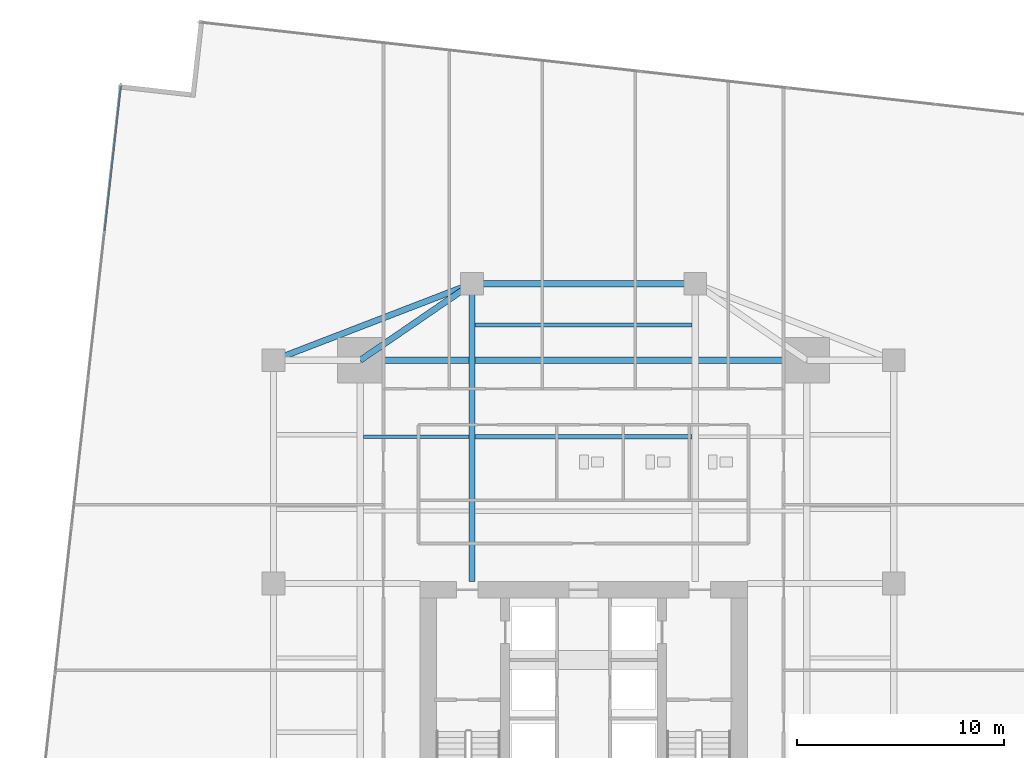
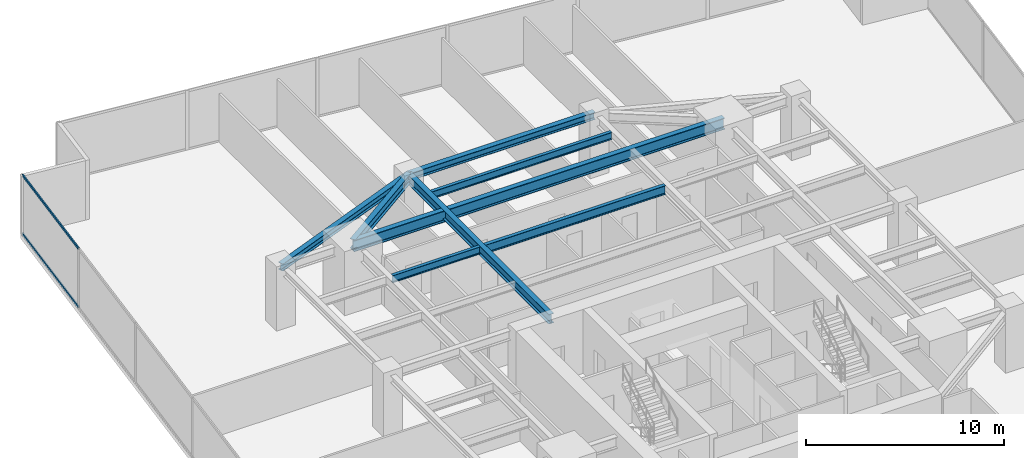
# One storey, part 17 of 28: 8 beams, 2 members, 1 element without a shape of its own.
"""IFC4 building model written with IfcOpenShell, lengths in metres."""

from ifc_helpers import new_model, si_unit, direction, frame, origin, origin_2d, place, context, subcontext, project, spatial, hollow_rectangle, i_section, extrude, source, transform, mapped, material, material_profile, profile_set, type_object, type_shapes, element, aggregate, save


model = new_model("IFC4")

# Units and contexts
model_context = context("Model", 3, precision=1e-05, world=origin(), true_north=direction((0.0, 1.0)))
body_context = subcontext(model_context, "Body", "Model", "MODEL_VIEW")
ifc_project = project(units=[si_unit("LENGTHUNIT", "METRE"), si_unit("AREAUNIT", "SQUARE_METRE"), si_unit("VOLUMEUNIT", "CUBIC_METRE"), si_unit("PLANEANGLEUNIT", "RADIAN"), si_unit("MASSUNIT", "GRAM", prefix="KILO")], contexts=[model_context])

# Site, building, storey
site_placement = place(None, origin())
site = spatial("IfcSite", under=ifc_project, at=site_placement, CompositionType="ELEMENT")
building_placement = place(site_placement, origin())
building = spatial("IfcBuilding", under=site, at=building_placement, Name="Krantzveldt Concourse Tower", CompositionType="ELEMENT")
storey_placement = place(building_placement, frame((0.0, 0.0, 64.5)))
storey = spatial("IfcBuildingStorey", under=building, at=storey_placement, Name="L15", CompositionType="ELEMENT", Elevation=64.5)

# Beams
ifc_material_1 = material(Name="Steel S355J2", Category="steel")
ifc_material_profile_1 = material_profile(ifc_material_1, i_section(OverallWidth=0.300048828125, OverallDepth=0.699951171875, WebThickness=0.01708984375, FlangeThickness=0.031982421875, FilletRadius=0.027099609375, at=origin_2d()), Name="Steel S355J2", Category="steel")
ifc_profile_set_1 = profile_set([ifc_material_profile_1], Name="Steel S355J2 - HEB 700")
beam_type_1 = type_object("IfcBeamType", Name="BM-B-HEB700", PredefinedType="BEAM", material=ifc_profile_set_1)
shared_shape_1 = source(origin(), body_context, "Body", "SweptSolid", [
    extrude(i_section(OverallWidth=0.300048828125, OverallDepth=0.699951171875, WebThickness=0.01708984375, FlangeThickness=0.031982421875, FilletRadius=0.027099609375, at=origin_2d()), origin(), (0.0, 0.0, 1.0), 21.60009765625),
])
type_shapes(beam_type_1, [shared_shape_1])
beam_1_placement = place(storey_placement, frame((25.199951171875, 37.5, 3.320068359375), z_axis=(1.0, 0.0, 0.0), x_axis=(0.0, 1.0, 0.0)))
element("IfcBeam", 1, at=beam_1_placement, inside=storey, type_object=beam_type_1, Name="L15 Tower Girder BG-MN", PredefinedType="BEAM", context=body_context, shape_type="MappedRepresentation", body=[
    mapped(shared_shape_1, transform((0.0, 0.0, 0.0), x_axis=(1.0, 0.0, 0.0), y_axis=(0.0, 1.0, 0.0), z_axis=(0.0, 0.0, 1.0), scale=1.0)),
])
ifc_material_2 = material(Name="Steel S355JR", Category="steel")
ifc_material_profile_2 = material_profile(ifc_material_2, i_section(OverallWidth=0.300048828125, OverallDepth=0.590087890625, WebThickness=0.012939453125, FlangeThickness=0.02490234375, FilletRadius=0.027099609375, at=origin_2d()), Name="Steel S355JR", Category="steel")
ifc_profile_set_2 = profile_set([ifc_material_profile_2], Name="Steel S355JR - HEA 600")
beam_type_2 = type_object("IfcBeamType", Name="BM-B-HEA600", PredefinedType="BEAM", material=ifc_profile_set_2)
shared_shape_2 = source(origin(), body_context, "Body", "SweptSolid", [
    extrude(i_section(OverallWidth=0.300048828125, OverallDepth=0.590087890625, WebThickness=0.012939453125, FlangeThickness=0.02490234375, FilletRadius=0.027099609375, at=origin_2d()), origin(), (0.0, 0.0, 1.0), 14.39990234375),
])
beam_2_placement = place(storey_placement, frame((30.60009765625, 26.800048828125, 3.375), z_axis=(0.0, 1.0, 0.0), x_axis=(-1.0, 0.0, 0.0)))
element("IfcBeam", 2, at=beam_2_placement, inside=storey, type_object=beam_type_2, Name="L15 Tower Girder BG-CNW", PredefinedType="BEAM", context=body_context, shape_type="MappedRepresentation", body=[
    mapped(shared_shape_2, transform((0.0, 0.0, 0.0), x_axis=(1.0, 0.0, 0.0), y_axis=(0.0, 1.0, 0.0), z_axis=(0.0, 0.0, 1.0), scale=1.0)),
])
ifc_material_profile_3 = material_profile(ifc_material_2, i_section(OverallWidth=0.300048828125, OverallDepth=0.43994140625, WebThickness=0.011474609375, FlangeThickness=0.02099609375, FilletRadius=0.027099609375, at=origin_2d()), Name="Steel S355JR", Category="steel")
ifc_profile_set_3 = profile_set([ifc_material_profile_3], Name="Steel S355JR - HEA 450")
beam_type_3 = type_object("IfcBeamType", Name="BM-SP-HEA450", PredefinedType="SPANDREL", material=ifc_profile_set_3)
shared_shape_3 = source(origin(), body_context, "Body", "SweptSolid", [
    extrude(i_section(OverallWidth=0.300048828125, OverallDepth=0.43994140625, WebThickness=0.011474609375, FlangeThickness=0.02099609375, FilletRadius=0.027099609375, at=origin_2d()), origin(), (0.0, 0.0, 1.0), 10.288330078125),
])
beam_3_placement = place(storey_placement, frame((21.0, 37.5, 3.449951171875), z_axis=(0.933097690408, 0.359622997257, 0.0), x_axis=(-0.359622997257, 0.933097690408, 0.0)))
element("IfcBeam", 3, at=beam_3_placement, inside=storey, type_object=beam_type_3, Name="L15 Tower Girder SP-R03", PredefinedType="SPANDREL", context=body_context, shape_type="MappedRepresentation", body=[
    mapped(shared_shape_3, transform((0.0, 0.0, 0.0), x_axis=(1.0, 0.0, 0.0), y_axis=(0.0, 1.0, 0.0), z_axis=(0.0, 0.0, 1.0), scale=1.0)),
])
shared_shape_4 = source(origin(), body_context, "Body", "SweptSolid", [
    extrude(i_section(OverallWidth=0.300048828125, OverallDepth=0.43994140625, WebThickness=0.011474609375, FlangeThickness=0.02099609375, FilletRadius=0.027099609375, at=origin_2d()), origin(), (0.0, 0.0, 1.0), 10.7998046875),
])
type_shapes(beam_type_3, [shared_shape_3, shared_shape_4])
beam_4_placement = place(storey_placement, frame((30.60009765625, 41.199951171875, 3.449951171875), z_axis=(1.0, 0.0, 0.0), x_axis=(0.0, 1.0, 0.0)))
element("IfcBeam", 4, at=beam_4_placement, inside=storey, type_object=beam_type_3, Name="L15 Tower Girder SP-R04", PredefinedType="SPANDREL", context=body_context, shape_type="MappedRepresentation", body=[
    mapped(shared_shape_4, transform((0.0, 0.0, 0.0), x_axis=(1.0, 0.0, 0.0), y_axis=(0.0, 1.0, 0.0), z_axis=(0.0, 0.0, 1.0), scale=1.0)),
])
shared_shape_5 = source(origin(), body_context, "Body", "SweptSolid", [
    extrude(i_section(OverallWidth=0.300048828125, OverallDepth=0.590087890625, WebThickness=0.012939453125, FlangeThickness=0.02490234375, FilletRadius=0.027099609375, at=origin_2d()), origin(), (0.0, 0.0, 1.0), 6.546142578125),
])
type_shapes(beam_type_2, [shared_shape_2, shared_shape_5])
beam_5_placement = place(storey_placement, frame((25.199951171875, 37.5, 3.375), z_axis=(0.824942999484, 0.565215930068, 0.0), x_axis=(-0.565215930068, 0.824942999484, 0.0)))
element("IfcBeam", 5, at=beam_5_placement, inside=storey, type_object=beam_type_2, Name="L15 Tower Girder BR-RL4", PredefinedType="BEAM", context=body_context, shape_type="MappedRepresentation", body=[
    mapped(shared_shape_5, transform((0.0, 0.0, 0.0), x_axis=(1.0, 0.0, 0.0), y_axis=(0.0, 1.0, 0.0), z_axis=(0.0, 0.0, 1.0), scale=1.0)),
])
ifc_material_profile_4 = material_profile(ifc_material_2, i_section(OverallWidth=0.2099609375, OverallDepth=0.550048828125, WebThickness=0.010986328125, FlangeThickness=0.01708984375, FilletRadius=0.02392578125, at=origin_2d()), Name="Steel S355JR", Category="steel")
ifc_profile_set_4 = profile_set([ifc_material_profile_4], Name="Steel S355JR - IPE 550")
beam_type_4 = type_object("IfcBeamType", Name="BM-J-IPE550", PredefinedType="JOIST", material=ifc_profile_set_4)
shared_shape_6 = source(origin(), body_context, "Body", "SweptSolid", [
    extrude(i_section(OverallWidth=0.2099609375, OverallDepth=0.550048828125, WebThickness=0.010986328125, FlangeThickness=0.01708984375, FilletRadius=0.02392578125, at=origin_2d()), origin(), (0.0, 0.0, 1.0), 10.5),
])
type_shapes(beam_type_4, [shared_shape_6])
beam_6_placement = place(storey_placement, frame((30.75, 33.800048828125, 3.39501953125), z_axis=(1.0, 0.0, 0.0), x_axis=(0.0, 1.0, 0.0)))
element("IfcBeam", 6, at=beam_6_placement, inside=storey, type_object=beam_type_4, Name="L15 Secondary Floor Joist JN-C2", PredefinedType="JOIST", context=body_context, shape_type="MappedRepresentation", body=[
    mapped(shared_shape_6, transform((0.0, 0.0, 0.0), x_axis=(1.0, 0.0, 0.0), y_axis=(0.0, 1.0, 0.0), z_axis=(0.0, 0.0, 1.0), scale=1.0)),
])
ifc_material_profile_5 = material_profile(ifc_material_2, i_section(OverallWidth=0.18994140625, OverallDepth=0.449951171875, WebThickness=0.009521484375, FlangeThickness=0.0146484375, FilletRadius=0.02099609375, at=origin_2d()), Name="Steel S355JR", Category="steel")
ifc_profile_set_5 = profile_set([ifc_material_profile_5], Name="Steel S355JR - IPE 450")
beam_type_5 = type_object("IfcBeamType", Name="BM-J-IPE450", PredefinedType="JOIST", material=ifc_profile_set_5)
shared_shape_7 = source(origin(), body_context, "Body", "SweptSolid", [
    extrude(i_section(OverallWidth=0.18994140625, OverallDepth=0.449951171875, WebThickness=0.009521484375, FlangeThickness=0.0146484375, FilletRadius=0.02099609375, at=origin_2d()), origin(), (0.0, 0.0, 1.0), 10.5),
])
beam_7_placement = place(storey_placement, frame((30.75, 39.199951171875, 3.445068359375), z_axis=(1.0, 0.0, 0.0), x_axis=(0.0, 1.0, 0.0)))
element("IfcBeam", 7, at=beam_7_placement, inside=storey, type_object=beam_type_5, Name="L15 Secondary Floor Joist JN-C3", PredefinedType="JOIST", context=body_context, shape_type="MappedRepresentation", body=[
    mapped(shared_shape_7, transform((0.0, 0.0, 0.0), x_axis=(1.0, 0.0, 0.0), y_axis=(0.0, 1.0, 0.0), z_axis=(0.0, 0.0, 1.0), scale=1.0)),
])
shared_shape_8 = source(origin(), body_context, "Body", "SweptSolid", [
    extrude(i_section(OverallWidth=0.18994140625, OverallDepth=0.449951171875, WebThickness=0.009521484375, FlangeThickness=0.0146484375, FilletRadius=0.02099609375, at=origin_2d()), origin(), (0.0, 0.0, 1.0), 5.099853515625),
])
type_shapes(beam_type_5, [shared_shape_7, shared_shape_8])
beam_8_placement = place(storey_placement, frame((25.35009765625, 33.800048828125, 3.445068359375), z_axis=(1.0, 0.0, 0.0), x_axis=(0.0, 1.0, 0.0)))
element("IfcBeam", 8, at=beam_8_placement, inside=storey, type_object=beam_type_5, Name="L15 Secondary Floor Joist JN-W2", PredefinedType="JOIST", context=body_context, shape_type="MappedRepresentation", body=[
    mapped(shared_shape_8, transform((0.0, 0.0, 0.0), x_axis=(1.0, 0.0, 0.0), y_axis=(0.0, 1.0, 0.0), z_axis=(0.0, 0.0, 1.0), scale=1.0)),
])

# Curtain wall, members
ifc_material_3 = material(Name="Anodised aluminium 6063-T6", Category="aluminium")
curtain_wall_type = type_object("IfcCurtainWallType", Name="CW2", PredefinedType="USERDEFINED", material=ifc_material_3)
curtain_wall_placement = place(storey_placement, origin())
curtain_wall = element("IfcCurtainWall", 9, at=curtain_wall_placement, inside=storey, type_object=curtain_wall_type, Name="CW-L15-F01", ObjectType="UNITISED CURTAIN WALL", PredefinedType="USERDEFINED")
ifc_material_profile_6 = material_profile(ifc_material_3, hollow_rectangle(XDim=0.070068359375, YDim=0.139892578125, WallThickness=0.0048828125, at=origin_2d()), Name="Anodised aluminium 6063-T6", Category="aluminium")
ifc_profile_set_6 = profile_set([ifc_material_profile_6], Name="Anodised aluminium 6063-T6 - ALU-TRAN 140x70x5")
member_type = type_object("IfcMemberType", Name="CW-TRN-150", PredefinedType="USERDEFINED", material=ifc_profile_set_6)
shared_shape_9 = source(origin(), body_context, "Body", "SweptSolid", [
    extrude(hollow_rectangle(XDim=0.070068359375, YDim=0.139892578125, WallThickness=0.0048828125, at=origin_2d()), origin(), (0.0, 0.0, 1.0), 7.061767578125),
])
type_shapes(member_type, [shared_shape_9])
member_1_placement = place(storey_placement, frame((13.62353515625, 50.763427734375, 0.034912109375), z_axis=(-0.111046217254, -0.993815243208, 0.0), x_axis=(0.993815243208, -0.111046217254, 0.0)))
member_1 = element("IfcMember", 10, at=member_1_placement, type_object=member_type, Name="CW-Z12 transom 1.1", ObjectType="TRANSOM", PredefinedType="USERDEFINED", context=body_context, shape_type="MappedRepresentation", body=[
    mapped(shared_shape_9, transform((0.0, 0.0, 0.0), x_axis=(1.0, 0.0, 0.0), y_axis=(0.0, 1.0, 0.0), z_axis=(0.0, 0.0, 1.0), scale=1.0)),
])
member_2_placement = place(storey_placement, frame((13.62353515625, 50.763427734375, 3.635009765625), z_axis=(-0.111046217254, -0.993815243208, 0.0), x_axis=(0.993815243208, -0.111046217254, 0.0)))
member_2 = element("IfcMember", 11, at=member_2_placement, type_object=member_type, Name="CW-Z12 transom 1.2", ObjectType="TRANSOM", PredefinedType="USERDEFINED", context=body_context, shape_type="MappedRepresentation", body=[
    mapped(shared_shape_9, transform((0.0, 0.0, 0.0), x_axis=(1.0, 0.0, 0.0), y_axis=(0.0, 1.0, 0.0), z_axis=(0.0, 0.0, 1.0), scale=1.0)),
])
aggregate(curtain_wall, [member_1, member_2])

save(model, "model.ifc")
